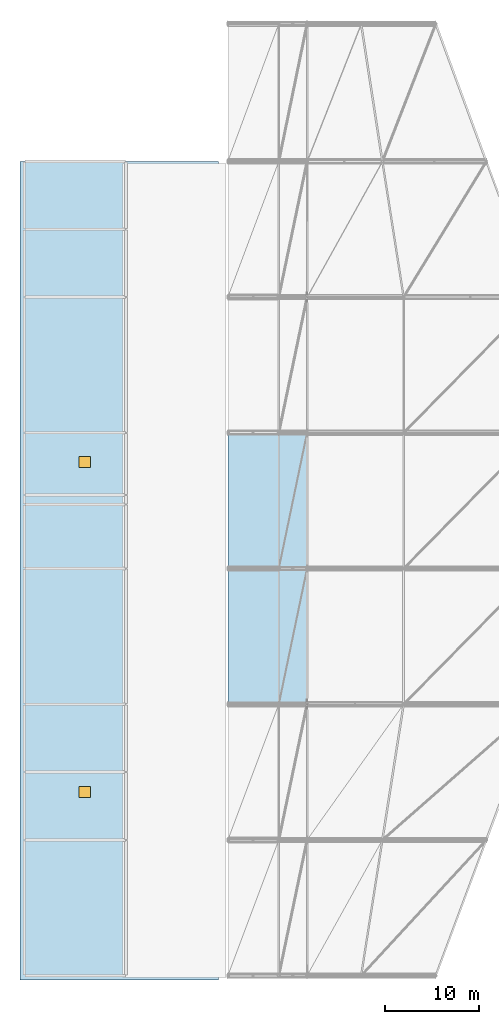
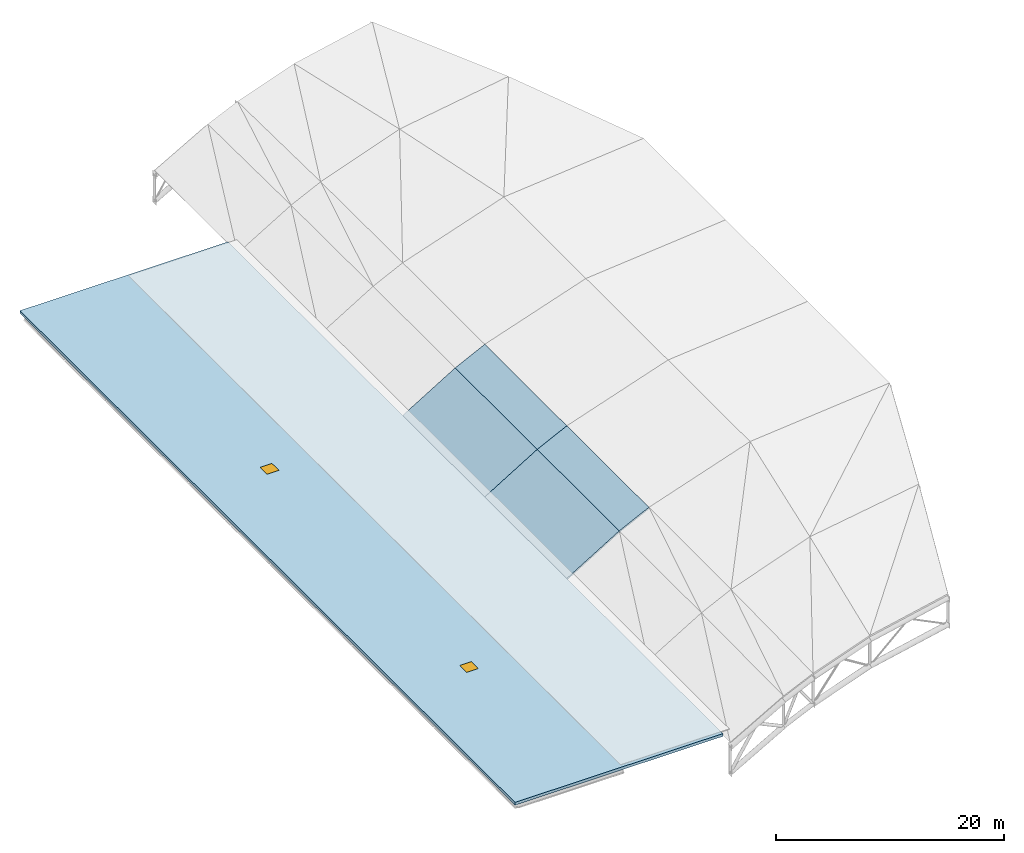
# One storey, part 25 of 36: 5 slabs, 2 windows, 2 openings.
"""IFC4 building model written with IfcOpenShell, lengths in metres."""

from ifc_helpers import new_model, si_unit, direction, frame, origin, origin_2d, place, context, subcontext, project, spatial, polyline, rectangle, outline, extrude, material, layer, layer_set, type_object, element, fill, save


model = new_model("IFC4")

# Units and contexts
model_context = context("Model", 3, precision=1e-05, world=origin(), true_north=direction((0.0, 1.0)))
body_context = subcontext(model_context, "Body", "Model", "MODEL_VIEW")
ifc_project = project(units=[si_unit("LENGTHUNIT", "METRE"), si_unit("AREAUNIT", "SQUARE_METRE"), si_unit("VOLUMEUNIT", "CUBIC_METRE"), si_unit("PLANEANGLEUNIT", "RADIAN"), si_unit("MASSUNIT", "GRAM", prefix="KILO")], contexts=[model_context])

# Site, building, storey
site_placement = place(None, origin())
site = spatial("IfcSite", under=ifc_project, at=site_placement, CompositionType="ELEMENT")
building_placement = place(site_placement, origin())
building = spatial("IfcBuilding", under=site, at=building_placement, Name="Koshinbarg Plaza Stadium", CompositionType="ELEMENT")
storey_placement = place(building_placement, frame((0.0, 0.0, 34.199951171875)))
storey = spatial("IfcBuildingStorey", under=building, at=storey_placement, Name="RF", CompositionType="ELEMENT", Elevation=34.199951171875)

# Slabs
ifc_material_1 = material(Name="Precast concrete C40/50", Category="concrete")
ifc_layer_1 = layer(ifc_material_1, 0.159912109375)
ifc_layer_set_1 = layer_set([ifc_layer_1], Name="Precast concrete C40/50")
slab_type_1 = type_object("IfcSlabType", Name="SL-BARRELDECK-160", PredefinedType="ROOF", material=ifc_layer_set_1)
slab_1_placement = place(storey_placement, frame((46.199951171875, 54.300048828125, -1.56005859375), z_axis=(-0.519700630377, 0.0, 0.854348438745), x_axis=(0.854348438745, 0.0, 0.519700630377)))
element("IfcSlab", 1, at=slab_1_placement, inside=storey, type_object=slab_type_1, Name="Quarter-barrel stand roof deck west bay 3.1", PredefinedType="ROOF", context=body_context, shape_type="SweptSolid", body=[
    extrude(outline(polyline([(0.0, 0.0), (6.3207776118944565, 0.0), (6.3207776118944565, 14.39990234375), (0.0, 14.39990234375), (0.0, 0.0)])), origin(), (0.0, 0.0, -1.0), 0.159912109375),
])
slab_2_placement = place(storey_placement, frame((51.60009765625, 54.300048828125, 1.724853515625), z_axis=(-0.441244459257, 0.0, 0.897386943952), x_axis=(0.897386943952, 0.0, 0.441244459257)))
element("IfcSlab", 2, at=slab_2_placement, inside=storey, type_object=slab_type_1, Name="Quarter-barrel stand roof deck west bay 3.2", PredefinedType="ROOF", context=body_context, shape_type="SweptSolid", body=[
    extrude(outline(polyline([(0.0, 0.0), (3.343039499538443, 0.0), (3.343039499538443, 14.399902343750004), (0.0, 14.399902343750004), (0.0, 0.0)])), origin(), (0.0, 0.0, -1.0), 0.159912109375),
])
slab_3_placement = place(storey_placement, frame((46.199951171875, 68.699951171875, -1.56005859375), z_axis=(-0.519700630377, 0.0, 0.854348438745), x_axis=(0.854348438745, 0.0, 0.519700630377)))
element("IfcSlab", 3, at=slab_3_placement, inside=storey, type_object=slab_type_1, Name="Quarter-barrel stand roof deck west bay 4.1", PredefinedType="ROOF", context=body_context, shape_type="SweptSolid", body=[
    extrude(outline(polyline([(0.0, 0.0), (6.3207776118944565, 0.0), (6.3207776118944565, 14.400146484375), (0.0, 14.400146484375), (0.0, 0.0)])), origin(), (0.0, 0.0, -1.0), 0.159912109375),
])
slab_4_placement = place(storey_placement, frame((51.60009765625, 68.699951171875, 1.724853515625), z_axis=(-0.441244459257, 0.0, 0.897386943952), x_axis=(0.897386943952, 0.0, 0.441244459257)))
element("IfcSlab", 4, at=slab_4_placement, inside=storey, type_object=slab_type_1, Name="Quarter-barrel stand roof deck west bay 4.2", PredefinedType="ROOF", context=body_context, shape_type="SweptSolid", body=[
    extrude(outline(polyline([(0.0, 0.0), (3.343039499538443, 0.0), (3.343039499538443, 14.400146484375004), (0.0, 14.400146484375004), (0.0, 0.0)])), origin(), (0.0, 0.0, -1.0), 0.159912109375),
])

# Slab, openings, windows
ifc_material_2 = material(Name="Concrete C35/45", Category="concrete")
ifc_layer_2 = layer(ifc_material_2, 0.300048828125)
ifc_layer_set_2 = layer_set([ifc_layer_2], Name="Concrete C35/45")
slab_type_2 = type_object("IfcSlabType", Name="SL-FLATROOF-260", PredefinedType="ROOF", material=ifc_layer_set_2)
slab_5_placement = place(storey_placement, frame((0.0, 0.0, -0.300048828125)))
slab_5 = element("IfcSlab", 5, at=slab_5_placement, inside=storey, type_object=slab_type_2, Name="RF pavilion flat roof slab RF-V1-TOP", PredefinedType="ROOF", context=body_context, shape_type="SweptSolid", body=[
    extrude(outline(polyline([(24.14501953125, 25.044921875), (45.199951171875, 25.044921875), (45.199951171875, 111.89990234375), (24.14501953125, 111.89990234375), (24.14501953125, 25.044921875)])), origin(), (0.0, 0.0, 1.0), 0.300048828125),
])
opening_1_placement = place(slab_5_placement, frame((31.0, 45.0, 0.0)))
opening_1 = element("IfcOpeningElement", 6, at=opening_1_placement, cuts=slab_5, Name="Opening RH01", PredefinedType="OPENING", context=body_context, shape_type="SweptSolid", body=[
    extrude(rectangle(XDim=1.199951171875, YDim=1.199951171875, at=origin_2d()), frame((0.0, 0.0, -0.010009765625)), (0.0, 0.0, 1.0), 0.320068359375),
])
opening_2_placement = place(slab_5_placement, frame((31.0, 80.0, 0.0)))
opening_2 = element("IfcOpeningElement", 7, at=opening_2_placement, cuts=slab_5, Name="Opening RH01", PredefinedType="OPENING", context=body_context, shape_type="SweptSolid", body=[
    extrude(rectangle(XDim=1.199951171875, YDim=1.199951171875, at=origin_2d()), frame((0.0, 0.0, -0.010009765625)), (0.0, 0.0, 1.0), 0.320068359375),
])
ifc_material_3 = material(Name="Insulated aluminium roof access skylight hatch", Category="aluminium")
window_type = type_object("IfcWindowType", Name="WN-HATCH-1200", PartitioningType="SINGLE_PANEL", PredefinedType="SKYLIGHT", material=ifc_material_3)
window_1_placement = place(opening_1_placement, frame((0.0, 0.0, 0.25)))
window_1 = element("IfcWindow", 8, at=window_1_placement, inside=storey, type_object=window_type, Name="RF roof access hatch 11", OverallHeight=1.199951171875, OverallWidth=1.199951171875, PartitioningType="SINGLE_PANEL", PredefinedType="SKYLIGHT", context=body_context, shape_type="SweptSolid", body=[
    extrude(rectangle(XDim=1.199951171875, YDim=1.199951171875, at=origin_2d()), origin(), (0.0, 0.0, 1.0), 0.050048828125),
])
fill(opening_1, window_1)
window_2_placement = place(opening_2_placement, frame((0.0, 0.0, 0.25)))
window_2 = element("IfcWindow", 9, at=window_2_placement, inside=storey, type_object=window_type, Name="RF roof access hatch 12", OverallHeight=1.199951171875, OverallWidth=1.199951171875, PartitioningType="SINGLE_PANEL", PredefinedType="SKYLIGHT", context=body_context, shape_type="SweptSolid", body=[
    extrude(rectangle(XDim=1.199951171875, YDim=1.199951171875, at=origin_2d()), origin(), (0.0, 0.0, 1.0), 0.050048828125),
])
fill(opening_2, window_2)

save(model, "model.ifc")
